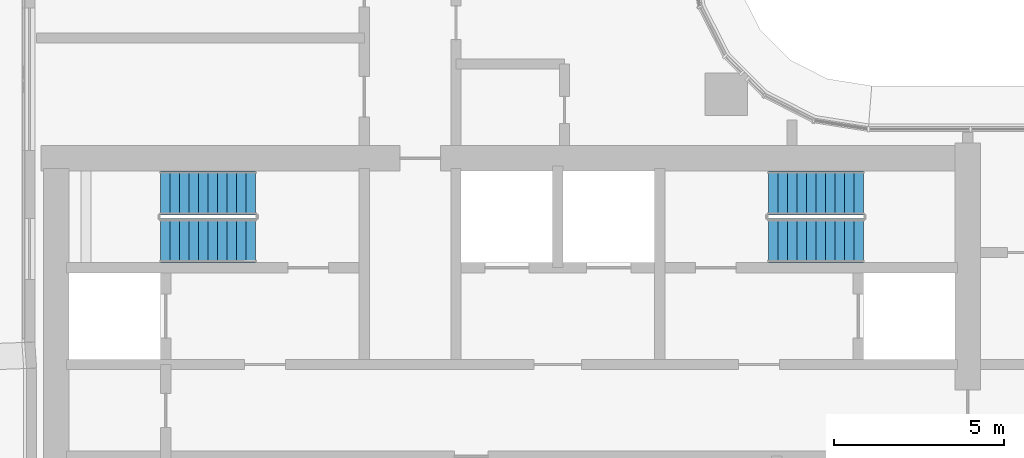
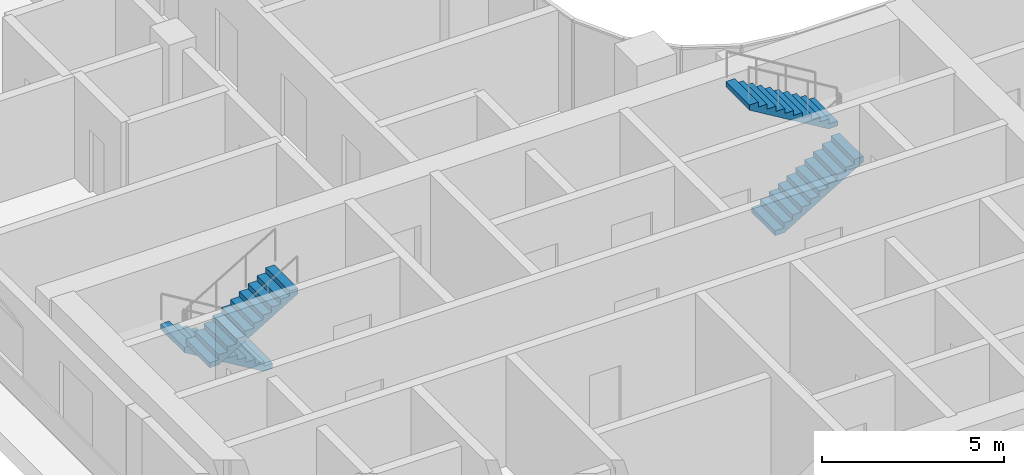
# One storey, part 29 of 40: 4 stair flights, 2 elements without a shape of their own.
"""IFC4 building model written with IfcOpenShell, lengths in metres."""

from ifc_helpers import new_model, si_unit, direction, frame, origin, place, context, subcontext, project, spatial, triangles, source, transform, mapped, material, type_object, element, aggregate, save


model = new_model("IFC4")

# Units and contexts
model_context = context("Model", 3, precision=1e-05, world=origin(), true_north=direction((0.0, 1.0)))
body_context = subcontext(model_context, "Body", "Model", "MODEL_VIEW")
ifc_project = project(units=[si_unit("LENGTHUNIT", "METRE"), si_unit("AREAUNIT", "SQUARE_METRE"), si_unit("VOLUMEUNIT", "CUBIC_METRE"), si_unit("PLANEANGLEUNIT", "RADIAN"), si_unit("MASSUNIT", "GRAM", prefix="KILO")], contexts=[model_context])

# Site, building, storey
site_placement = place(None, origin())
site = spatial("IfcSite", under=ifc_project, at=site_placement, CompositionType="ELEMENT")
building_placement = place(site_placement, origin())
building = spatial("IfcBuilding", under=site, at=building_placement, Name="Ogive Portal Towers", CompositionType="ELEMENT")
storey_placement = place(building_placement, frame((0.0, 0.0, 87.10009765625)))
storey = spatial("IfcBuildingStorey", under=building, at=storey_placement, Name="L20", CompositionType="ELEMENT", Elevation=87.10009765625)

# Stair, stair flights
ifc_material = material(Name="Concrete C40/50", Category="concrete")
stair_type = type_object("IfcStairType", Name="INT-STAIR", PredefinedType="HALF_TURN_STAIR", material=ifc_material)
stair_1_placement = place(storey_placement, origin())
stair_1 = element("IfcStair", 1, at=stair_1_placement, inside=storey, type_object=stair_type, Name="L20 Exit Stair ST-A1", PredefinedType="HALF_TURN_STAIR")
stair_flight_type = type_object("IfcStairFlightType", Name="INT-FLIGHT", PredefinedType="STRAIGHT", material=ifc_material)
shared_shape = source(origin(), body_context, "Body", "Tessellation", [
    triangles([(0.0, -0.650146484375, 0.0), (0.0, -0.376220703125, 0.0), (0.0, -0.192626953125, 0.0), (0.0, -0.081298828125, 0.0), (0.0, -0.024169921875, 0.0), (0.0, -0.003173828125, 0.0), (0.0, 0.0, 0.0), (0.0, 0.0029296875, 0.0), (0.0, 0.02392578125, 0.0), (0.0, 0.0810546875, 0.0), (0.0, 0.1923828125, 0.0), (0.0, 0.3759765625, 0.0), (0.0, 0.64990234375, 0.0), (0.0, -0.650146484375, 0.168212890625), (0.0, -0.376220703125, 0.168212890625), (0.0, -0.192626953125, 0.168212890625), (0.0, -0.081298828125, 0.168212890625), (0.0, -0.024169921875, 0.168212890625), (0.0, -0.003173828125, 0.168212890625), (0.0, 0.0, 0.168212890625), (0.0, 0.0029296875, 0.168212890625), (0.0, 0.02392578125, 0.168212890625), (0.0, 0.0810546875, 0.168212890625), (0.0, 0.1923828125, 0.168212890625), (0.0, 0.3759765625, 0.168212890625), (0.0, 0.64990234375, 0.168212890625), (0.280029296875, -0.650146484375, 0.168212890625), (0.280029296875, -0.376220703125, 0.168212890625), (0.280029296875, -0.192626953125, 0.168212890625), (0.280029296875, -0.081298828125, 0.168212890625), (0.280029296875, -0.024169921875, 0.168212890625), (0.280029296875, -0.003173828125, 0.168212890625), (0.280029296875, 0.0, 0.168212890625), (0.280029296875, 0.0029296875, 0.168212890625), (0.280029296875, 0.02392578125, 0.168212890625), (0.280029296875, 0.0810546875, 0.168212890625), (0.280029296875, 0.1923828125, 0.168212890625), (0.280029296875, 0.3759765625, 0.168212890625), (0.280029296875, 0.64990234375, 0.168212890625), (0.280029296875, -0.650146484375, 0.33642578125), (0.280029296875, -0.376220703125, 0.33642578125), (0.280029296875, -0.192626953125, 0.33642578125), (0.280029296875, -0.081298828125, 0.33642578125), (0.280029296875, -0.024169921875, 0.33642578125), (0.280029296875, -0.003173828125, 0.33642578125), (0.280029296875, 0.0, 0.33642578125), (0.280029296875, 0.0029296875, 0.33642578125), (0.280029296875, 0.02392578125, 0.33642578125), (0.280029296875, 0.0810546875, 0.33642578125), (0.280029296875, 0.1923828125, 0.33642578125), (0.280029296875, 0.3759765625, 0.33642578125), (0.280029296875, 0.64990234375, 0.33642578125), (0.56005859375, -0.650146484375, 0.33642578125), (0.56005859375, -0.376220703125, 0.33642578125), (0.56005859375, -0.192626953125, 0.33642578125), (0.56005859375, -0.081298828125, 0.33642578125), (0.56005859375, -0.024169921875, 0.33642578125), (0.56005859375, -0.003173828125, 0.33642578125), (0.56005859375, 0.0, 0.33642578125), (0.56005859375, 0.0029296875, 0.33642578125), (0.56005859375, 0.02392578125, 0.33642578125), (0.56005859375, 0.0810546875, 0.33642578125), (0.56005859375, 0.1923828125, 0.33642578125), (0.56005859375, 0.3759765625, 0.33642578125), (0.56005859375, 0.64990234375, 0.33642578125), (0.56005859375, -0.650146484375, 0.504638671875), (0.56005859375, -0.376220703125, 0.504638671875), (0.56005859375, -0.192626953125, 0.504638671875), (0.56005859375, -0.081298828125, 0.504638671875), (0.56005859375, -0.024169921875, 0.504638671875), (0.56005859375, -0.003173828125, 0.504638671875), (0.56005859375, 0.0, 0.504638671875), (0.56005859375, 0.0029296875, 0.504638671875), (0.56005859375, 0.02392578125, 0.504638671875), (0.56005859375, 0.0810546875, 0.504638671875), (0.56005859375, 0.1923828125, 0.504638671875), (0.56005859375, 0.3759765625, 0.504638671875), (0.56005859375, 0.64990234375, 0.504638671875), (0.840087890625, -0.650146484375, 0.504638671875), (0.840087890625, -0.376220703125, 0.504638671875), (0.840087890625, -0.192626953125, 0.504638671875), (0.840087890625, -0.081298828125, 0.504638671875), (0.840087890625, -0.024169921875, 0.504638671875), (0.840087890625, -0.003173828125, 0.504638671875), (0.840087890625, 0.0, 0.504638671875), (0.840087890625, 0.0029296875, 0.504638671875), (0.840087890625, 0.02392578125, 0.504638671875), (0.840087890625, 0.0810546875, 0.504638671875), (0.840087890625, 0.1923828125, 0.504638671875), (0.840087890625, 0.3759765625, 0.504638671875), (0.840087890625, 0.64990234375, 0.504638671875), (0.840087890625, -0.650146484375, 0.672607421875), (0.840087890625, -0.376220703125, 0.672607421875), (0.840087890625, -0.192626953125, 0.672607421875), (0.840087890625, -0.081298828125, 0.672607421875), (0.840087890625, -0.024169921875, 0.672607421875), (0.840087890625, -0.003173828125, 0.672607421875), (0.840087890625, 0.0, 0.672607421875), (0.840087890625, 0.0029296875, 0.672607421875), (0.840087890625, 0.02392578125, 0.672607421875), (0.840087890625, 0.0810546875, 0.672607421875), (0.840087890625, 0.1923828125, 0.672607421875), (0.840087890625, 0.3759765625, 0.672607421875), (0.840087890625, 0.64990234375, 0.672607421875), (1.1201171875, -0.650146484375, 0.672607421875), (1.1201171875, -0.376220703125, 0.672607421875), (1.1201171875, -0.192626953125, 0.672607421875), (1.1201171875, -0.081298828125, 0.672607421875), (1.1201171875, -0.024169921875, 0.672607421875), (1.1201171875, -0.003173828125, 0.672607421875), (1.1201171875, 0.0, 0.672607421875), (1.1201171875, 0.0029296875, 0.672607421875), (1.1201171875, 0.02392578125, 0.672607421875), (1.1201171875, 0.0810546875, 0.672607421875), (1.1201171875, 0.1923828125, 0.672607421875), (1.1201171875, 0.3759765625, 0.672607421875), (1.1201171875, 0.64990234375, 0.672607421875), (1.1201171875, -0.650146484375, 0.8408203125), (1.1201171875, -0.376220703125, 0.8408203125), (1.1201171875, -0.192626953125, 0.8408203125), (1.1201171875, -0.081298828125, 0.8408203125), (1.1201171875, -0.024169921875, 0.8408203125), (1.1201171875, -0.003173828125, 0.8408203125), (1.1201171875, 0.0, 0.8408203125), (1.1201171875, 0.0029296875, 0.8408203125), (1.1201171875, 0.02392578125, 0.8408203125), (1.1201171875, 0.0810546875, 0.8408203125), (1.1201171875, 0.1923828125, 0.8408203125), (1.1201171875, 0.3759765625, 0.8408203125), (1.1201171875, 0.64990234375, 0.8408203125), (1.39990234375, -0.650146484375, 0.8408203125), (1.39990234375, -0.376220703125, 0.8408203125), (1.39990234375, -0.192626953125, 0.8408203125), (1.39990234375, -0.081298828125, 0.8408203125), (1.39990234375, -0.024169921875, 0.8408203125), (1.39990234375, -0.003173828125, 0.8408203125), (1.39990234375, 0.0, 0.8408203125), (1.39990234375, 0.0029296875, 0.8408203125), (1.39990234375, 0.02392578125, 0.8408203125), (1.39990234375, 0.0810546875, 0.8408203125), (1.39990234375, 0.1923828125, 0.8408203125), (1.39990234375, 0.3759765625, 0.8408203125), (1.39990234375, 0.64990234375, 0.8408203125), (1.39990234375, -0.650146484375, 1.009033203125), (1.39990234375, -0.376220703125, 1.009033203125), (1.39990234375, -0.192626953125, 1.009033203125), (1.39990234375, -0.081298828125, 1.009033203125), (1.39990234375, -0.024169921875, 1.009033203125), (1.39990234375, -0.003173828125, 1.009033203125), (1.39990234375, 0.0, 1.009033203125), (1.39990234375, 0.0029296875, 1.009033203125), (1.39990234375, 0.02392578125, 1.009033203125), (1.39990234375, 0.0810546875, 1.009033203125), (1.39990234375, 0.1923828125, 1.009033203125), (1.39990234375, 0.3759765625, 1.009033203125), (1.39990234375, 0.64990234375, 1.009033203125), (1.679931640625, -0.650146484375, 1.009033203125), (1.679931640625, -0.376220703125, 1.009033203125), (1.679931640625, -0.192626953125, 1.009033203125), (1.679931640625, -0.081298828125, 1.009033203125), (1.679931640625, -0.024169921875, 1.009033203125), (1.679931640625, -0.003173828125, 1.009033203125), (1.679931640625, 0.0, 1.009033203125), (1.679931640625, 0.0029296875, 1.009033203125), (1.679931640625, 0.02392578125, 1.009033203125), (1.679931640625, 0.0810546875, 1.009033203125), (1.679931640625, 0.1923828125, 1.009033203125), (1.679931640625, 0.3759765625, 1.009033203125), (1.679931640625, 0.64990234375, 1.009033203125), (1.679931640625, -0.650146484375, 1.17724609375), (1.679931640625, -0.376220703125, 1.17724609375), (1.679931640625, -0.192626953125, 1.17724609375), (1.679931640625, -0.081298828125, 1.17724609375), (1.679931640625, -0.024169921875, 1.17724609375), (1.679931640625, -0.003173828125, 1.17724609375), (1.679931640625, 0.0, 1.17724609375), (1.679931640625, 0.0029296875, 1.17724609375), (1.679931640625, 0.02392578125, 1.17724609375), (1.679931640625, 0.0810546875, 1.17724609375), (1.679931640625, 0.1923828125, 1.17724609375), (1.679931640625, 0.3759765625, 1.17724609375), (1.679931640625, 0.64990234375, 1.17724609375), (1.9599609375, -0.650146484375, 1.17724609375), (1.9599609375, -0.376220703125, 1.17724609375), (1.9599609375, -0.192626953125, 1.17724609375), (1.9599609375, -0.081298828125, 1.17724609375), (1.9599609375, -0.024169921875, 1.17724609375), (1.9599609375, -0.003173828125, 1.17724609375), (1.9599609375, 0.0, 1.17724609375), (1.9599609375, 0.0029296875, 1.17724609375), (1.9599609375, 0.02392578125, 1.17724609375), (1.9599609375, 0.0810546875, 1.17724609375), (1.9599609375, 0.1923828125, 1.17724609375), (1.9599609375, 0.3759765625, 1.17724609375), (1.9599609375, 0.64990234375, 1.17724609375), (1.9599609375, -0.650146484375, 1.345458984375), (1.9599609375, -0.376220703125, 1.345458984375), (1.9599609375, -0.192626953125, 1.345458984375), (1.9599609375, -0.081298828125, 1.345458984375), (1.9599609375, -0.024169921875, 1.345458984375), (1.9599609375, -0.003173828125, 1.345458984375), (1.9599609375, 0.0, 1.345458984375), (1.9599609375, 0.0029296875, 1.345458984375), (1.9599609375, 0.02392578125, 1.345458984375), (1.9599609375, 0.0810546875, 1.345458984375), (1.9599609375, 0.1923828125, 1.345458984375), (1.9599609375, 0.3759765625, 1.345458984375), (1.9599609375, 0.64990234375, 1.345458984375), (2.239990234375, -0.650146484375, 1.345458984375), (2.239990234375, -0.376220703125, 1.345458984375), (2.239990234375, -0.192626953125, 1.345458984375), (2.239990234375, -0.081298828125, 1.345458984375), (2.239990234375, -0.024169921875, 1.345458984375), (2.239990234375, -0.003173828125, 1.345458984375), (2.239990234375, 0.0, 1.345458984375), (2.239990234375, 0.0029296875, 1.345458984375), (2.239990234375, 0.02392578125, 1.345458984375), (2.239990234375, 0.0810546875, 1.345458984375), (2.239990234375, 0.1923828125, 1.345458984375), (2.239990234375, 0.3759765625, 1.345458984375), (2.239990234375, 0.64990234375, 1.345458984375), (2.239990234375, -0.650146484375, 1.513671875), (2.239990234375, -0.376220703125, 1.513671875), (2.239990234375, -0.192626953125, 1.513671875), (2.239990234375, -0.081298828125, 1.513671875), (2.239990234375, -0.024169921875, 1.513671875), (2.239990234375, -0.003173828125, 1.513671875), (2.239990234375, 0.0, 1.513671875), (2.239990234375, 0.0029296875, 1.513671875), (2.239990234375, 0.02392578125, 1.513671875), (2.239990234375, 0.0810546875, 1.513671875), (2.239990234375, 0.1923828125, 1.513671875), (2.239990234375, 0.3759765625, 1.513671875), (2.239990234375, 0.64990234375, 1.513671875), (2.52001953125, -0.650146484375, 1.513671875), (2.52001953125, -0.376220703125, 1.513671875), (2.52001953125, -0.192626953125, 1.513671875), (2.52001953125, -0.081298828125, 1.513671875), (2.52001953125, -0.024169921875, 1.513671875), (2.52001953125, -0.003173828125, 1.513671875), (2.52001953125, 0.0, 1.513671875), (2.52001953125, 0.0029296875, 1.513671875), (2.52001953125, 0.02392578125, 1.513671875), (2.52001953125, 0.0810546875, 1.513671875), (2.52001953125, 0.1923828125, 1.513671875), (2.52001953125, 0.3759765625, 1.513671875), (2.52001953125, 0.64990234375, 1.513671875), (2.52001953125, -0.650146484375, 1.681884765625), (2.52001953125, -0.376220703125, 1.681884765625), (2.52001953125, -0.192626953125, 1.681884765625), (2.52001953125, -0.081298828125, 1.681884765625), (2.52001953125, -0.024169921875, 1.681884765625), (2.52001953125, -0.003173828125, 1.681884765625), (2.52001953125, 0.0, 1.681884765625), (2.52001953125, 0.0029296875, 1.681884765625), (2.52001953125, 0.02392578125, 1.681884765625), (2.52001953125, 0.0810546875, 1.681884765625), (2.52001953125, 0.1923828125, 1.681884765625), (2.52001953125, 0.3759765625, 1.681884765625), (2.52001953125, 0.64990234375, 1.681884765625), (2.800048828125, -0.650146484375, 1.681884765625), (2.800048828125, -0.376220703125, 1.681884765625), (2.800048828125, -0.192626953125, 1.681884765625), (2.800048828125, -0.081298828125, 1.681884765625), (2.800048828125, -0.024169921875, 1.681884765625), (2.800048828125, -0.003173828125, 1.681884765625), (2.800048828125, 0.0, 1.681884765625), (2.800048828125, 0.0029296875, 1.681884765625), (2.800048828125, 0.02392578125, 1.681884765625), (2.800048828125, 0.0810546875, 1.681884765625), (2.800048828125, 0.1923828125, 1.681884765625), (2.800048828125, 0.3759765625, 1.681884765625), (2.800048828125, 0.64990234375, 1.681884765625), (2.800048828125, -0.650146484375, 1.5068359375), (2.800048828125, -0.376220703125, 1.5068359375), (2.800048828125, -0.192626953125, 1.5068359375), (2.800048828125, -0.081298828125, 1.5068359375), (2.800048828125, -0.024169921875, 1.5068359375), (2.800048828125, -0.003173828125, 1.5068359375), (2.800048828125, 0.0, 1.5068359375), (2.800048828125, 0.0029296875, 1.5068359375), (2.800048828125, 0.02392578125, 1.5068359375), (2.800048828125, 0.0810546875, 1.5068359375), (2.800048828125, 0.1923828125, 1.5068359375), (2.800048828125, 0.3759765625, 1.5068359375), (2.800048828125, 0.64990234375, 1.5068359375), (0.291015625, -0.650146484375, 0.0), (0.291015625, -0.376220703125, 0.0), (0.291015625, -0.192626953125, 0.0), (0.291015625, -0.081298828125, 0.0), (0.291015625, -0.024169921875, 0.0), (0.291015625, -0.003173828125, 0.0), (0.291015625, 0.0, 0.0), (0.291015625, 0.0029296875, 0.0), (0.291015625, 0.02392578125, 0.0), (0.291015625, 0.0810546875, 0.0), (0.291015625, 0.1923828125, 0.0), (0.291015625, 0.3759765625, 0.0), (0.291015625, 0.64990234375, 0.0)], [[1, 14, 15], [1, 15, 2], [2, 15, 16], [2, 16, 3], [3, 16, 17], [3, 17, 4], [4, 17, 18], [4, 18, 5], [5, 18, 19], [5, 19, 6], [6, 19, 20], [6, 20, 7], [7, 20, 21], [7, 21, 8], [8, 21, 22], [8, 22, 9], [9, 22, 23], [9, 23, 10], [10, 23, 24], [10, 24, 11], [11, 24, 25], [11, 25, 12], [12, 25, 26], [12, 26, 13], [14, 27, 28], [14, 28, 15], [15, 28, 29], [15, 29, 16], [16, 29, 30], [16, 30, 17], [17, 30, 31], [17, 31, 18], [18, 31, 32], [18, 32, 19], [19, 32, 33], [19, 33, 20], [20, 33, 34], [20, 34, 21], [21, 34, 35], [21, 35, 22], [22, 35, 36], [22, 36, 23], [23, 36, 37], [23, 37, 24], [24, 37, 38], [24, 38, 25], [25, 38, 39], [25, 39, 26], [27, 40, 41], [27, 41, 28], [28, 41, 42], [28, 42, 29], [29, 42, 43], [29, 43, 30], [30, 43, 44], [30, 44, 31], [31, 44, 45], [31, 45, 32], [32, 45, 46], [32, 46, 33], [33, 46, 47], [33, 47, 34], [34, 47, 48], [34, 48, 35], [35, 48, 49], [35, 49, 36], [36, 49, 50], [36, 50, 37], [37, 50, 51], [37, 51, 38], [38, 51, 52], [38, 52, 39], [40, 53, 54], [40, 54, 41], [41, 54, 55], [41, 55, 42], [42, 55, 56], [42, 56, 43], [43, 56, 57], [43, 57, 44], [44, 57, 58], [44, 58, 45], [45, 58, 59], [45, 59, 46], [46, 59, 60], [46, 60, 47], [47, 60, 61], [47, 61, 48], [48, 61, 62], [48, 62, 49], [49, 62, 63], [49, 63, 50], [50, 63, 64], [50, 64, 51], [51, 64, 65], [51, 65, 52], [53, 66, 67], [53, 67, 54], [54, 67, 68], [54, 68, 55], [55, 68, 69], [55, 69, 56], [56, 69, 70], [56, 70, 57], [57, 70, 71], [57, 71, 58], [58, 71, 72], [58, 72, 59], [59, 72, 73], [59, 73, 60], [60, 73, 74], [60, 74, 61], [61, 74, 75], [61, 75, 62], [62, 75, 76], [62, 76, 63], [63, 76, 77], [63, 77, 64], [64, 77, 78], [64, 78, 65], [66, 79, 80], [66, 80, 67], [67, 80, 81], [67, 81, 68], [68, 81, 82], [68, 82, 69], [69, 82, 83], [69, 83, 70], [70, 83, 84], [70, 84, 71], [71, 84, 85], [71, 85, 72], [72, 85, 86], [72, 86, 73], [73, 86, 87], [73, 87, 74], [74, 87, 88], [74, 88, 75], [75, 88, 89], [75, 89, 76], [76, 89, 90], [76, 90, 77], [77, 90, 91], [77, 91, 78], [79, 92, 93], [79, 93, 80], [80, 93, 94], [80, 94, 81], [81, 94, 95], [81, 95, 82], [82, 95, 96], [82, 96, 83], [83, 96, 97], [83, 97, 84], [84, 97, 98], [84, 98, 85], [85, 98, 99], [85, 99, 86], [86, 99, 100], [86, 100, 87], [87, 100, 101], [87, 101, 88], [88, 101, 102], [88, 102, 89], [89, 102, 103], [89, 103, 90], [90, 103, 104], [90, 104, 91], [92, 105, 106], [92, 106, 93], [93, 106, 107], [93, 107, 94], [94, 107, 108], [94, 108, 95], [95, 108, 109], [95, 109, 96], [96, 109, 110], [96, 110, 97], [97, 110, 111], [97, 111, 98], [98, 111, 112], [98, 112, 99], [99, 112, 113], [99, 113, 100], [100, 113, 114], [100, 114, 101], [101, 114, 115], [101, 115, 102], [102, 115, 116], [102, 116, 103], [103, 116, 117], [103, 117, 104], [105, 118, 119], [105, 119, 106], [106, 119, 120], [106, 120, 107], [107, 120, 121], [107, 121, 108], [108, 121, 122], [108, 122, 109], [109, 122, 123], [109, 123, 110], [110, 123, 124], [110, 124, 111], [111, 124, 125], [111, 125, 112], [112, 125, 126], [112, 126, 113], [113, 126, 127], [113, 127, 114], [114, 127, 128], [114, 128, 115], [115, 128, 129], [115, 129, 116], [116, 129, 130], [116, 130, 117], [118, 131, 132], [118, 132, 119], [119, 132, 133], [119, 133, 120], [120, 133, 134], [120, 134, 121], [121, 134, 135], [121, 135, 122], [122, 135, 136], [122, 136, 123], [123, 136, 137], [123, 137, 124], [124, 137, 138], [124, 138, 125], [125, 138, 139], [125, 139, 126], [126, 139, 140], [126, 140, 127], [127, 140, 141], [127, 141, 128], [128, 141, 142], [128, 142, 129], [129, 142, 143], [129, 143, 130], [131, 144, 145], [131, 145, 132], [132, 145, 146], [132, 146, 133], [133, 146, 147], [133, 147, 134], [134, 147, 148], [134, 148, 135], [135, 148, 149], [135, 149, 136], [136, 149, 150], [136, 150, 137], [137, 150, 151], [137, 151, 138], [138, 151, 152], [138, 152, 139], [139, 152, 153], [139, 153, 140], [140, 153, 154], [140, 154, 141], [141, 154, 155], [141, 155, 142], [142, 155, 156], [142, 156, 143], [144, 157, 158], [144, 158, 145], [145, 158, 159], [145, 159, 146], [146, 159, 160], [146, 160, 147], [147, 160, 161], [147, 161, 148], [148, 161, 162], [148, 162, 149], [149, 162, 163], [149, 163, 150], [150, 163, 164], [150, 164, 151], [151, 164, 165], [151, 165, 152], [152, 165, 166], [152, 166, 153], [153, 166, 167], [153, 167, 154], [154, 167, 168], [154, 168, 155], [155, 168, 169], [155, 169, 156], [157, 170, 171], [157, 171, 158], [158, 171, 172], [158, 172, 159], [159, 172, 173], [159, 173, 160], [160, 173, 174], [160, 174, 161], [161, 174, 175], [161, 175, 162], [162, 175, 176], [162, 176, 163], [163, 176, 177], [163, 177, 164], [164, 177, 178], [164, 178, 165], [165, 178, 179], [165, 179, 166], [166, 179, 180], [166, 180, 167], [167, 180, 181], [167, 181, 168], [168, 181, 182], [168, 182, 169], [170, 183, 184], [170, 184, 171], [171, 184, 185], [171, 185, 172], [172, 185, 186], [172, 186, 173], [173, 186, 187], [173, 187, 174], [174, 187, 188], [174, 188, 175], [175, 188, 189], [175, 189, 176], [176, 189, 190], [176, 190, 177], [177, 190, 191], [177, 191, 178], [178, 191, 192], [178, 192, 179], [179, 192, 193], [179, 193, 180], [180, 193, 194], [180, 194, 181], [181, 194, 195], [181, 195, 182], [183, 196, 197], [183, 197, 184], [184, 197, 198], [184, 198, 185], [185, 198, 199], [185, 199, 186], [186, 199, 200], [186, 200, 187], [187, 200, 201], [187, 201, 188], [188, 201, 202], [188, 202, 189], [189, 202, 203], [189, 203, 190], [190, 203, 204], [190, 204, 191], [191, 204, 205], [191, 205, 192], [192, 205, 206], [192, 206, 193], [193, 206, 207], [193, 207, 194], [194, 207, 208], [194, 208, 195], [196, 209, 210], [196, 210, 197], [197, 210, 211], [197, 211, 198], [198, 211, 212], [198, 212, 199], [199, 212, 213], [199, 213, 200], [200, 213, 214], [200, 214, 201], [201, 214, 215], [201, 215, 202], [202, 215, 216], [202, 216, 203], [203, 216, 217], [203, 217, 204], [204, 217, 218], [204, 218, 205], [205, 218, 219], [205, 219, 206], [206, 219, 220], [206, 220, 207], [207, 220, 221], [207, 221, 208], [209, 222, 223], [209, 223, 210], [210, 223, 224], [210, 224, 211], [211, 224, 225], [211, 225, 212], [212, 225, 226], [212, 226, 213], [213, 226, 227], [213, 227, 214], [214, 227, 228], [214, 228, 215], [215, 228, 229], [215, 229, 216], [216, 229, 230], [216, 230, 217], [217, 230, 231], [217, 231, 218], [218, 231, 232], [218, 232, 219], [219, 232, 233], [219, 233, 220], [220, 233, 234], [220, 234, 221], [222, 235, 236], [222, 236, 223], [223, 236, 237], [223, 237, 224], [224, 237, 238], [224, 238, 225], [225, 238, 239], [225, 239, 226], [226, 239, 240], [226, 240, 227], [227, 240, 241], [227, 241, 228], [228, 241, 242], [228, 242, 229], [229, 242, 243], [229, 243, 230], [230, 243, 244], [230, 244, 231], [231, 244, 245], [231, 245, 232], [232, 245, 246], [232, 246, 233], [233, 246, 247], [233, 247, 234], [235, 248, 249], [235, 249, 236], [236, 249, 250], [236, 250, 237], [237, 250, 251], [237, 251, 238], [238, 251, 252], [238, 252, 239], [239, 252, 253], [239, 253, 240], [240, 253, 254], [240, 254, 241], [241, 254, 255], [241, 255, 242], [242, 255, 256], [242, 256, 243], [243, 256, 257], [243, 257, 244], [244, 257, 258], [244, 258, 245], [245, 258, 259], [245, 259, 246], [246, 259, 260], [246, 260, 247], [248, 261, 262], [248, 262, 249], [249, 262, 263], [249, 263, 250], [250, 263, 264], [250, 264, 251], [251, 264, 265], [251, 265, 252], [252, 265, 266], [252, 266, 253], [253, 266, 267], [253, 267, 254], [254, 267, 268], [254, 268, 255], [255, 268, 269], [255, 269, 256], [256, 269, 270], [256, 270, 257], [257, 270, 271], [257, 271, 258], [258, 271, 272], [258, 272, 259], [259, 272, 273], [259, 273, 260], [261, 274, 275], [261, 275, 262], [262, 275, 276], [262, 276, 263], [263, 276, 277], [263, 277, 264], [264, 277, 278], [264, 278, 265], [265, 278, 279], [265, 279, 266], [266, 279, 280], [266, 280, 267], [267, 280, 281], [267, 281, 268], [268, 281, 282], [268, 282, 269], [269, 282, 283], [269, 283, 270], [270, 283, 284], [270, 284, 271], [271, 284, 285], [271, 285, 272], [272, 285, 286], [272, 286, 273], [274, 287, 288], [274, 288, 275], [275, 288, 289], [275, 289, 276], [276, 289, 290], [276, 290, 277], [277, 290, 291], [277, 291, 278], [278, 291, 292], [278, 292, 279], [279, 292, 293], [279, 293, 280], [280, 293, 294], [280, 294, 281], [281, 294, 295], [281, 295, 282], [282, 295, 296], [282, 296, 283], [283, 296, 297], [283, 297, 284], [284, 297, 298], [284, 298, 285], [285, 298, 299], [285, 299, 286], [287, 1, 2], [287, 2, 288], [288, 2, 3], [288, 3, 289], [289, 3, 4], [289, 4, 290], [290, 4, 5], [290, 5, 291], [291, 5, 6], [291, 6, 292], [292, 6, 7], [292, 7, 293], [293, 7, 8], [293, 8, 294], [294, 8, 9], [294, 9, 295], [295, 9, 10], [295, 10, 296], [296, 10, 11], [296, 11, 297], [297, 11, 12], [297, 12, 298], [298, 12, 13], [298, 13, 299], [1, 287, 274], [13, 286, 299], [274, 261, 248], [286, 260, 273], [274, 248, 235], [286, 247, 260], [274, 235, 222], [286, 234, 247], [274, 222, 209], [286, 221, 234], [209, 196, 183], [221, 195, 208], [274, 209, 183], [286, 195, 221], [183, 170, 157], [195, 169, 182], [274, 183, 157], [286, 169, 195], [157, 144, 131], [169, 143, 156], [274, 157, 131], [286, 143, 169], [131, 118, 105], [143, 117, 130], [274, 131, 105], [286, 117, 143], [1, 274, 105], [13, 117, 286], [105, 92, 79], [117, 91, 104], [79, 66, 53], [91, 65, 78], [105, 79, 53], [117, 65, 91], [53, 40, 27], [65, 39, 52], [105, 53, 27], [117, 39, 65], [1, 105, 27], [13, 39, 117], [27, 14, 1], [39, 13, 26]], closed=True),
])
stair_flight_1_placement = place(storey_placement, frame((37.449951171875, 38.39990234375, 0.0), z_axis=(0.0, 0.0, 1.0), x_axis=(-1.0, 0.0, 0.0)))
stair_flight_1 = element("IfcStairFlight", 2, at=stair_flight_1_placement, type_object=stair_flight_type, Name="ST-A1 flight 1", NumberOfRisers=11, NumberOfTreads=10, PredefinedType="STRAIGHT", RiserHeight=0.168181818, TreadLength=0.28, context=body_context, shape_type="MappedRepresentation", body=[
    mapped(shared_shape, transform((0.0, 0.0, 0.0), scale=1.0)),
])
stair_flight_2_placement = place(storey_placement, frame((34.64990234375, 37.0, 1.849853515625), z_axis=(0.0, 0.0, 1.0), x_axis=(1.0, 0.0, 0.0)))
stair_flight_2 = element("IfcStairFlight", 3, at=stair_flight_2_placement, type_object=stair_flight_type, Name="ST-A1 flight 2", NumberOfRisers=11, NumberOfTreads=10, PredefinedType="STRAIGHT", RiserHeight=0.168181818, TreadLength=0.28, context=body_context, shape_type="MappedRepresentation", body=[
    mapped(shared_shape, transform((0.0, 0.0, 0.0), scale=1.0)),
])
aggregate(stair_1, [stair_flight_1, stair_flight_2])

stair_2_placement = place(storey_placement, origin())
stair_2 = element("IfcStair", 4, at=stair_2_placement, inside=storey, type_object=stair_type, Name="L20 Exit Stair ST-A2", PredefinedType="HALF_TURN_STAIR")
stair_flight_3_placement = place(storey_placement, frame((52.550048828125, 37.0, 0.0), z_axis=(0.0, 0.0, 1.0), x_axis=(1.0, 0.0, 0.0)))
stair_flight_3 = element("IfcStairFlight", 5, at=stair_flight_3_placement, type_object=stair_flight_type, Name="ST-A2 flight 1", NumberOfRisers=11, NumberOfTreads=10, PredefinedType="STRAIGHT", RiserHeight=0.168181818, TreadLength=0.28, context=body_context, shape_type="MappedRepresentation", body=[
    mapped(shared_shape, transform((0.0, 0.0, 0.0), scale=1.0)),
])
stair_flight_4_placement = place(storey_placement, frame((55.35009765625, 38.39990234375, 1.849853515625), z_axis=(0.0, 0.0, 1.0), x_axis=(-1.0, 0.0, 0.0)))
stair_flight_4 = element("IfcStairFlight", 6, at=stair_flight_4_placement, type_object=stair_flight_type, Name="ST-A2 flight 2", NumberOfRisers=11, NumberOfTreads=10, PredefinedType="STRAIGHT", RiserHeight=0.168181818, TreadLength=0.28, context=body_context, shape_type="MappedRepresentation", body=[
    mapped(shared_shape, transform((0.0, 0.0, 0.0), scale=1.0)),
])
aggregate(stair_2, [stair_flight_3, stair_flight_4])

save(model, "model.ifc")
